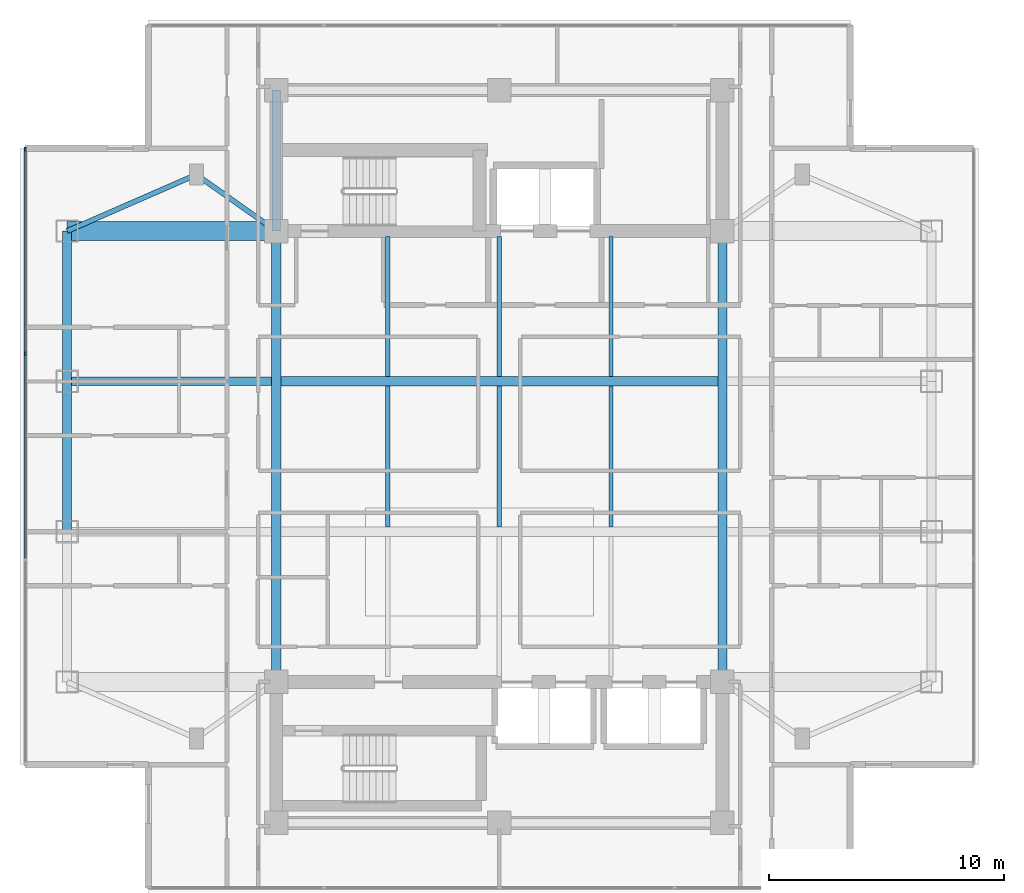
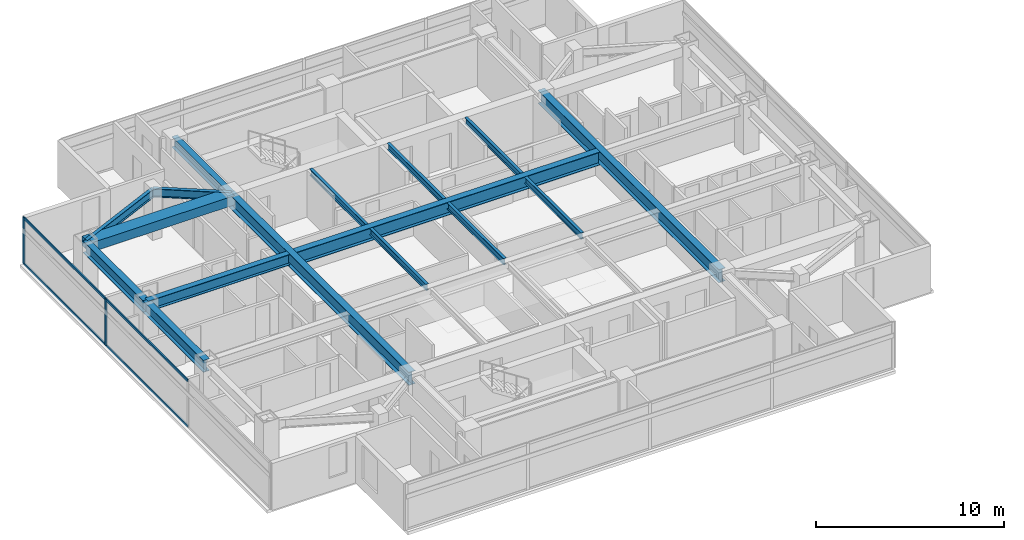
# One storey, part 3 of 24: 16 beams, 6 members, 1 element without a shape of its own.
"""IFC4 building model written with IfcOpenShell, lengths in metres."""

import ifcopenshell
import ifcopenshell.guid

model = None  # the IFC model being written
_history = None  # IfcOwnerHistory: only IFC2X3 demands one
_inside = {}  # id of a spatial element -> (the spatial element, [elements in it])
_under = {}  # id of a project, library or spatial element -> (it, [spatial elements below it])
_declared = {}  # id of a project -> (the project, [libraries it declares])
_typed = {}  # id of a type object -> (the type object, [elements of that type])
_made_of = {}  # id of a material, layer set ... -> (it, [elements and type objects made of it])


def new_model(schema):
    """Start an empty IFC model of exactly this schema.

    Asked for "IFC4X3", IfcOpenShell would pick the latest addendum, in which some entities
    have other attributes; the version numbers below select the first issue.
    IFC2X3 requires an IfcOwnerHistory on every rooted entity: one is made here for all.
    """
    global model, _history
    if schema == "IFC4X3":
        model = ifcopenshell.file(schema_version=(4, 3, 0, 0))
    else:
        model = ifcopenshell.file(schema=schema)
    _inside.clear()
    _under.clear()
    _declared.clear()
    _typed.clear()
    _made_of.clear()
    _history = None
    if model.schema == "IFC2X3":
        org = make("IfcOrganization", Name="unknown")
        user = make(
            "IfcPersonAndOrganization",
            ThePerson=make("IfcPerson", FamilyName="unknown"),
            TheOrganization=org,
        )
        app = make(
            "IfcApplication",
            ApplicationDeveloper=org,
            Version="unknown",
            ApplicationFullName="unknown",
            ApplicationIdentifier="unknown",
        )
        _history = make(
            "IfcOwnerHistory",
            OwningUser=user,
            OwningApplication=app,
            ChangeAction="ADDED",
            CreationDate=0,
        )
    return model


def make(cls, **values):
    """One entity of the class cls with the attributes given. An attribute that is None is left unset."""
    return model.create_entity(
        cls, **{name: value for name, value in values.items() if value is not None}
    )


def rooted(cls, **values):
    """An entity with a GlobalId (a new one), such as an element, a storey or a relation."""
    return make(cls, GlobalId=ifcopenshell.guid.new(), OwnerHistory=_history, **values)


def si_unit(unit_type, name, prefix=None):
    """IfcSIUnit, for example si_unit("LENGTHUNIT", "METRE", prefix="MILLI")."""
    return make("IfcSIUnit", UnitType=unit_type, Prefix=prefix, Name=name)


def assignment(units):
    """IfcUnitAssignment: the units of a project."""
    return None if units is None else make("IfcUnitAssignment", Units=units)


def point(xyz):
    """IfcCartesianPoint."""
    return None if xyz is None else make("IfcCartesianPoint", Coordinates=xyz)


def direction(xyz):
    """IfcDirection."""
    return None if xyz is None else make("IfcDirection", DirectionRatios=xyz)


def frame(location, z_axis=None, x_axis=None):
    """IfcAxis2Placement3D, a coordinate frame: its origin and axes. An axis left out is left unset."""
    return make(
        "IfcAxis2Placement3D",
        Location=point(location),
        Axis=direction(z_axis),
        RefDirection=direction(x_axis),
    )


def frame_2d(location, x_axis=None):
    """IfcAxis2Placement2D, a coordinate frame in the plane: its origin and x axis."""
    return make(
        "IfcAxis2Placement2D", Location=point(location), RefDirection=direction(x_axis)
    )


def origin():
    """The frame at (0, 0, 0) with its axes left unset."""
    return frame((0.0, 0.0, 0.0))


def origin_2d():
    """The frame at (0, 0) in the plane with its x axis left unset."""
    return frame_2d((0.0, 0.0))


def place(relative_to, where):
    """IfcLocalPlacement: puts the frame where relative to a parent placement (None: the world)."""
    return make(
        "IfcLocalPlacement", PlacementRelTo=relative_to, RelativePlacement=where
    )


def context(
    kind, dimensions, precision=None, world=None, true_north=None, identifier=None
):
    """IfcGeometricRepresentationContext, for example the 3D "Model" context."""
    return make(
        "IfcGeometricRepresentationContext",
        ContextIdentifier=identifier,
        ContextType=kind,
        CoordinateSpaceDimension=dimensions,
        Precision=precision,
        WorldCoordinateSystem=world,
        TrueNorth=true_north,
    )


def subcontext(parent, identifier, kind, view, scale=None):
    """IfcGeometricRepresentationSubContext, for example "Body" below "Model"."""
    return make(
        "IfcGeometricRepresentationSubContext",
        ContextIdentifier=identifier,
        ContextType=kind,
        ParentContext=parent,
        TargetScale=scale,
        TargetView=view,
    )


def project(units=None, contexts=None):
    """IfcProject with its units and contexts."""
    return rooted(
        "IfcProject",
        Name="project",
        RepresentationContexts=contexts,
        UnitsInContext=assignment(units),
    )


def spatial(cls, under=None, at=None, **own):
    """A site, building, storey or space (cls), placed at a placement, below another one or the project."""
    s = rooted(cls, ObjectPlacement=at, **own)
    if under is not None:
        _under.setdefault(under.id(), (under, []))[1].append(s)
    return s


def profile(cls, at=None, kind="AREA", **sizes):
    """A parametric profile (cls). Its sizes go by their IFC names, for example OverallWidth=200.0."""
    return make(cls, ProfileType=kind, Position=at, **sizes)


def rectangle(**sizes):
    """IfcRectangleProfileDef."""
    return profile("IfcRectangleProfileDef", **sizes)


def i_section(**sizes):
    """IfcIShapeProfileDef."""
    return profile("IfcIShapeProfileDef", **sizes)


def extrude(swept, where, along, depth):
    """IfcExtrudedAreaSolid: the profile swept, set in the frame where, extruded along a direction by depth."""
    return make(
        "IfcExtrudedAreaSolid",
        SweptArea=swept,
        Position=where,
        ExtrudedDirection=direction(along),
        Depth=depth,
    )


def shape(context_of_items, identifier, shape_type, items):
    """IfcShapeRepresentation: the items that make up one representation, for example the "Body"."""
    return make(
        "IfcShapeRepresentation",
        ContextOfItems=context_of_items,
        RepresentationIdentifier=identifier,
        RepresentationType=shape_type,
        Items=items,
    )


def material(Name=None, Category=None):
    """IfcMaterial."""
    return make("IfcMaterial", Name=Name, Category=Category)


def material_profile(
    of_material, cross_section, Name=None, Category=None, Priority=None
):
    """IfcMaterialProfile: a cross section and its material."""
    return make(
        "IfcMaterialProfile",
        Name=Name,
        Material=of_material,
        Profile=cross_section,
        Priority=Priority,
        Category=Category,
    )


def profile_set(profiles, Name=None, composite=None):
    """IfcMaterialProfileSet."""
    return make(
        "IfcMaterialProfileSet",
        Name=Name,
        MaterialProfiles=profiles,
        CompositeProfile=composite,
    )


def made_of(thing, what):
    """Note that an element or type object is made of a material, layer set ...; save() writes the relation."""
    if what is not None:
        _made_of.setdefault(what.id(), (what, []))[1].append(thing)
    return thing


def type_object(cls, material=None, **own):
    """A type object (cls), such as IfcWallType, which elements share."""
    return made_of(rooted(cls, **own), material)


def element(
    cls,
    number,
    at=None,
    inside=None,
    cuts=None,
    type_object=None,
    material=None,
    context=None,
    identifier="Body",
    shape_type=None,
    held_by="IfcProductDefinitionShape",
    body=None,
    shapes=None,
    **own,
):
    """One element of the class cls, such as IfcWall. Its Tag is "e" and its number.

    at: its placement. inside: the storey or other place that contains it. cuts: it is an
    opening in that element (IfcRelVoidsElement). A single representation is given by context,
    identifier, shape_type and body (its items); several are given by shapes. held_by: the class
    of the entity that holds the representations. save() writes the other relations.
    """
    e = rooted(cls, Tag="e%d" % number, ObjectPlacement=at, **own)
    if body is not None:
        shapes = [shape(context, identifier, shape_type, body)]
    if shapes is not None:
        e.Representation = make(held_by, Representations=shapes)
    if inside is not None:
        _inside.setdefault(inside.id(), (inside, []))[1].append(e)
    if cuts is not None:
        rooted(
            "IfcRelVoidsElement", RelatingBuildingElement=cuts, RelatedOpeningElement=e
        )
    if type_object is not None:
        _typed.setdefault(type_object.id(), (type_object, []))[1].append(e)
    return made_of(e, material)


def aggregate(whole, parts):
    """IfcRelAggregates: a whole, such as a stair, and the parts it consists of."""
    return rooted("IfcRelAggregates", RelatingObject=whole, RelatedObjects=parts)


def save(model, path):
    """Write the relations noted so far, then the file.

    IfcRelAggregates (storeys below a building ...), IfcRelContainedInSpatialStructure (elements
    in a storey), IfcRelDefinesByType, IfcRelAssociatesMaterial and IfcRelDeclares: one each for
    every whole, place, type object, material and project.
    """
    for whole, parts in _under.values():
        aggregate(whole, parts)
    for where, things in _inside.values():
        rooted(
            "IfcRelContainedInSpatialStructure",
            RelatedElements=things,
            RelatingStructure=where,
        )
    for kind, things in _typed.values():
        rooted("IfcRelDefinesByType", RelatedObjects=things, RelatingType=kind)
    for what, things in _made_of.values():
        rooted("IfcRelAssociatesMaterial", RelatedObjects=things, RelatingMaterial=what)
    for by, libraries in _declared.values():
        rooted("IfcRelDeclares", RelatingContext=by, RelatedDefinitions=libraries)
    model.write(path)


model = new_model("IFC4")

# Units and contexts
model_context = context("Model", 3, precision=1e-05, world=origin(), true_north=direction((0.0, 1.0)))
body_context = subcontext(model_context, "Body", "Model", "MODEL_VIEW")
ifc_project = project(units=[si_unit("LENGTHUNIT", "METRE"), si_unit("AREAUNIT", "SQUARE_METRE"), si_unit("VOLUMEUNIT", "CUBIC_METRE"), si_unit("PLANEANGLEUNIT", "RADIAN"), si_unit("MASSUNIT", "GRAM", prefix="KILO")], contexts=[model_context])

# Site, building, storey
site_placement = place(None, origin())
site = spatial("IfcSite", under=ifc_project, at=site_placement, CompositionType="ELEMENT")
building_placement = place(site_placement, origin())
building = spatial("IfcBuilding", under=site, at=building_placement, Name="Mirazonda Arch Towers", CompositionType="ELEMENT")
storey_placement = place(building_placement, frame((0.0, 0.0, 160.89990234375)))
storey = spatial("IfcBuildingStorey", under=building, at=storey_placement, Name="L45", CompositionType="ELEMENT", Elevation=160.89990234375)

# Beams
ifc_material_1 = material(Name="Steel ASTM A992 Grade 50", Category="steel")
ifc_material_profile_1 = material_profile(ifc_material_1, i_section(OverallWidth=0.381103515625, OverallDepth=0.77294921875, WebThickness=0.0166015625, FlangeThickness=0.027099609375, at=origin_2d()), Name="W30X173")
ifc_profile_set_1 = profile_set([ifc_material_profile_1], Name="Steel ASTM A992 Grade 50")
beam_type_1 = type_object("IfcBeamType", Name="BM-EXT-W30X173", PredefinedType="USERDEFINED", material=ifc_profile_set_1)
beam_1_placement = place(storey_placement, frame((2.10009765625, 24.800048828125, 2.66357421875), z_axis=(0.0, 1.0, 0.0), x_axis=(-1.0, 0.0, 0.0)))
element("IfcBeam", 1, at=beam_1_placement, inside=storey, type_object=beam_type_1, Name="L45 Floor Beam BM-T1-L45-NS-W-24", ObjectType="GIRDER", PredefinedType="USERDEFINED", context=body_context, shape_type="SweptSolid", body=[
    extrude(i_section(OverallWidth=0.381103515625, OverallDepth=0.77294921875, WebThickness=0.0166015625, FlangeThickness=0.027099609375, at=origin_2d()), origin(), (0.0, 0.0, 1.0), 6.39990234375),
])
beam_2_placement = place(storey_placement, frame((2.10009765625, 31.199951171875, 2.66357421875), z_axis=(0.0, 1.0, 0.0), x_axis=(-1.0, 0.0, 0.0)))
element("IfcBeam", 2, at=beam_2_placement, inside=storey, type_object=beam_type_1, Name="L45 Floor Beam BM-T1-L45-NS-W-31", ObjectType="GIRDER", PredefinedType="USERDEFINED", context=body_context, shape_type="SweptSolid", body=[
    extrude(i_section(OverallWidth=0.381103515625, OverallDepth=0.77294921875, WebThickness=0.0166015625, FlangeThickness=0.027099609375, at=origin_2d()), origin(), (0.0, 0.0, 1.0), 6.400146484375),
])
ifc_material_profile_2 = material_profile(ifc_material_1, i_section(OverallWidth=0.180908203125, OverallDepth=0.4169921875, WebThickness=0.010986328125, FlangeThickness=0.018310546875, at=origin_2d()), Name="W16X57")
ifc_profile_set_2 = profile_set([ifc_material_profile_2], Name="Steel ASTM A992 Grade 50")
beam_type_2 = type_object("IfcBeamType", Name="BM-INT-W16X57", PredefinedType="JOIST", material=ifc_profile_set_2)
beam_3_placement = place(storey_placement, frame((15.75, 31.39599609375, 2.841552734375), z_axis=(0.0, 1.0, 0.0), x_axis=(-1.0, 0.0, 0.0)))
element("IfcBeam", 3, at=beam_3_placement, inside=storey, type_object=beam_type_2, Name="L45 Floor Beam BM-T1-L45-J-157-31", PredefinedType="JOIST", context=body_context, shape_type="SweptSolid", body=[
    extrude(i_section(OverallWidth=0.180908203125, OverallDepth=0.4169921875, WebThickness=0.010986328125, FlangeThickness=0.018310546875, at=origin_2d()), origin(), (0.0, 0.0, 1.0), 5.964111328125),
])
beam_4_placement = place(storey_placement, frame((15.75, 24.99609375, 2.841552734375), z_axis=(0.0, 1.0, 0.0), x_axis=(-1.0, 0.0, 0.0)))
element("IfcBeam", 4, at=beam_4_placement, inside=storey, type_object=beam_type_2, Name="L45 Floor Beam BM-T1-L45-J-157-24", PredefinedType="JOIST", context=body_context, shape_type="SweptSolid", body=[
    extrude(i_section(OverallWidth=0.180908203125, OverallDepth=0.4169921875, WebThickness=0.010986328125, FlangeThickness=0.018310546875, at=origin_2d()), origin(), (0.0, 0.0, 1.0), 6.0078125),
])
beam_5_placement = place(storey_placement, frame((20.5, 31.39599609375, 2.841552734375), z_axis=(0.0, 1.0, 0.0), x_axis=(-1.0, 0.0, 0.0)))
element("IfcBeam", 5, at=beam_5_placement, inside=storey, type_object=beam_type_2, Name="L45 Floor Beam BM-T1-L45-J-205-31", PredefinedType="JOIST", context=body_context, shape_type="SweptSolid", body=[
    extrude(i_section(OverallWidth=0.180908203125, OverallDepth=0.4169921875, WebThickness=0.010986328125, FlangeThickness=0.018310546875, at=origin_2d()), origin(), (0.0, 0.0, 1.0), 5.964111328125),
])
beam_6_placement = place(storey_placement, frame((20.5, 24.99609375, 2.841552734375), z_axis=(0.0, 1.0, 0.0), x_axis=(-1.0, 0.0, 0.0)))
element("IfcBeam", 6, at=beam_6_placement, inside=storey, type_object=beam_type_2, Name="L45 Floor Beam BM-T1-L45-J-205-24", PredefinedType="JOIST", context=body_context, shape_type="SweptSolid", body=[
    extrude(i_section(OverallWidth=0.180908203125, OverallDepth=0.4169921875, WebThickness=0.010986328125, FlangeThickness=0.018310546875, at=origin_2d()), origin(), (0.0, 0.0, 1.0), 6.0078125),
])
beam_7_placement = place(storey_placement, frame((25.25, 31.39599609375, 2.841552734375), z_axis=(0.0, 1.0, 0.0), x_axis=(-1.0, 0.0, 0.0)))
element("IfcBeam", 7, at=beam_7_placement, inside=storey, type_object=beam_type_2, Name="L45 Floor Beam BM-T1-L45-J-252-31", PredefinedType="JOIST", context=body_context, shape_type="SweptSolid", body=[
    extrude(i_section(OverallWidth=0.180908203125, OverallDepth=0.4169921875, WebThickness=0.010986328125, FlangeThickness=0.018310546875, at=origin_2d()), origin(), (0.0, 0.0, 1.0), 5.964111328125),
])
beam_8_placement = place(storey_placement, frame((25.25, 24.99609375, 2.841552734375), z_axis=(0.0, 1.0, 0.0), x_axis=(-1.0, 0.0, 0.0)))
element("IfcBeam", 8, at=beam_8_placement, inside=storey, type_object=beam_type_2, Name="L45 Floor Beam BM-T1-L45-J-252-24", PredefinedType="JOIST", context=body_context, shape_type="SweptSolid", body=[
    extrude(i_section(OverallWidth=0.180908203125, OverallDepth=0.4169921875, WebThickness=0.010986328125, FlangeThickness=0.018310546875, at=origin_2d()), origin(), (0.0, 0.0, 1.0), 6.0078125),
])
ifc_material_profile_3 = material_profile(ifc_material_1, i_section(OverallWidth=0.214111328125, OverallDepth=0.549072265625, WebThickness=0.0146484375, FlangeThickness=0.023681640625, at=origin_2d()), Name="W21X93")
ifc_profile_set_3 = profile_set([ifc_material_profile_3], Name="Steel ASTM A992 Grade 50")
beam_type_3 = type_object("IfcBeamType", Name="BM-INT-W21X93", PredefinedType="BEAM", material=ifc_profile_set_3)
beam_9_placement = place(storey_placement, frame((7.60009765625, 40.0, 2.775634765625), z_axis=(0.816971114901, -0.576678591087, 0.0), x_axis=(0.576678591087, 0.816971114901, 0.0)))
element("IfcBeam", 9, at=beam_9_placement, inside=storey, type_object=beam_type_3, Name="L45 Floor Beam BM-T1-L45-PL-NW1", PredefinedType="BEAM", context=body_context, shape_type="SweptSolid", body=[
    extrude(i_section(OverallWidth=0.214111328125, OverallDepth=0.549072265625, WebThickness=0.0146484375, FlangeThickness=0.023681640625, at=origin_2d()), origin(), (0.0, 0.0, 1.0), 4.16162109375),
])
beam_10_placement = place(storey_placement, frame((7.60009765625, 40.0, 2.775634765625), z_axis=(-0.916545343703, -0.399930785183, 0.0), x_axis=(0.399930785183, -0.916545343703, 0.0)))
element("IfcBeam", 10, at=beam_10_placement, inside=storey, type_object=beam_type_3, Name="L45 Floor Beam BM-T1-L45-PL-NW2", PredefinedType="BEAM", context=body_context, shape_type="SweptSolid", body=[
    extrude(i_section(OverallWidth=0.214111328125, OverallDepth=0.549072265625, WebThickness=0.0146484375, FlangeThickness=0.023681640625, at=origin_2d()), origin(), (0.0, 0.0, 1.0), 6.000732421875),
])
ifc_material_profile_4 = material_profile(ifc_material_1, i_section(OverallWidth=0.35498046875, OverallDepth=0.696044921875, WebThickness=0.015380859375, FlangeThickness=0.02490234375, at=origin_2d()), Name="W27X146")
ifc_profile_set_4 = profile_set([ifc_material_profile_4], Name="Steel ASTM A992 Grade 50")
beam_type_4 = type_object("IfcBeamType", Name="BM-INT-W27X146", PredefinedType="BEAM", material=ifc_profile_set_4)
beam_11_placement = place(storey_placement, frame((2.10009765625, 31.199951171875, 2.7021484375), z_axis=(1.0, 0.0, 0.0), x_axis=(0.0, 1.0, 0.0)))
element("IfcBeam", 11, at=beam_11_placement, inside=storey, type_object=beam_type_4, Name="L45 Floor Beam BM-T1-L45-GW3", PredefinedType="BEAM", context=body_context, shape_type="SweptSolid", body=[
    extrude(i_section(OverallWidth=0.35498046875, OverallDepth=0.696044921875, WebThickness=0.015380859375, FlangeThickness=0.02490234375, at=origin_2d()), origin(), (0.0, 0.0, 1.0), 8.699951171875),
])
beam_12_placement = place(storey_placement, frame((11.0, 37.60009765625, 2.7021484375), z_axis=(0.0, 1.0, 0.0), x_axis=(-1.0, 0.0, 0.0)))
element("IfcBeam", 12, at=beam_12_placement, inside=storey, type_object=beam_type_4, Name="L45 Floor Beam BM-T1-L45-CNW", PredefinedType="BEAM", context=body_context, shape_type="SweptSolid", body=[
    extrude(i_section(OverallWidth=0.35498046875, OverallDepth=0.696044921875, WebThickness=0.015380859375, FlangeThickness=0.02490234375, at=origin_2d()), origin(), (0.0, 0.0, 1.0), 6.0),
])
ifc_material_profile_5 = material_profile(ifc_material_1, i_section(OverallWidth=0.39990234375, OverallDepth=0.85595703125, WebThickness=0.018310546875, FlangeThickness=0.029296875, at=origin_2d()), Name="W33X201")
ifc_profile_set_5 = profile_set([ifc_material_profile_5], Name="Steel ASTM A992 Grade 50")
beam_type_5 = type_object("IfcBeamType", Name="BM-INT-W33X201", PredefinedType="USERDEFINED", material=ifc_profile_set_5)
beam_13_placement = place(storey_placement, frame((11.199951171875, 31.199951171875, 2.6220703125), z_axis=(1.0, 0.0, 0.0), x_axis=(0.0, 1.0, 0.0)))
element("IfcBeam", 13, at=beam_13_placement, inside=storey, type_object=beam_type_5, Name="L45 Floor Beam BM-T1-L45-GC3", ObjectType="GIRDER", PredefinedType="USERDEFINED", context=body_context, shape_type="SweptSolid", body=[
    extrude(i_section(OverallWidth=0.39990234375, OverallDepth=0.85595703125, WebThickness=0.018310546875, FlangeThickness=0.029296875, at=origin_2d()), origin(), (0.0, 0.0, 1.0), 18.60009765625),
])
for number, where, z_axis, x_axis, name in (
    (14, (11.0, 18.39990234375, 2.6220703125), (0.0, 1.0, 0.0), (-1.0, 0.0, 0.0), "L45 Floor Beam BM-T1-L45-NS-CW-FULL"),
    (15, (30.0, 18.39990234375, 2.6220703125), (0.0, 1.0, 0.0), (-1.0, 0.0, 0.0), "L45 Floor Beam BM-T1-L45-NS-CE-FULL"),
):
    element("IfcBeam", number, at=place(storey_placement, frame(where, z_axis=z_axis, x_axis=x_axis)), inside=storey, type_object=beam_type_5, Name=name, ObjectType="GIRDER", PredefinedType="USERDEFINED", context=body_context, shape_type="SweptSolid", body=[
        extrude(i_section(OverallWidth=0.39990234375, OverallDepth=0.85595703125, WebThickness=0.018310546875, FlangeThickness=0.029296875, at=origin_2d()), origin(), (0.0, 0.0, 1.0), 19.2001953125),
    ])
ifc_material_2 = material(Name="Concrete C60/75", Category="concrete")
ifc_material_profile_6 = material_profile(ifc_material_2, rectangle(XDim=0.800048828125, YDim=0.60009765625, at=origin_2d()), Name="RCCB800x600")
ifc_profile_set_6 = profile_set([ifc_material_profile_6], Name="Concrete C60/75")
beam_type_6 = type_object("IfcBeamType", Name="CB-INT-RCCB800x600", PredefinedType="SPANDREL", material=ifc_profile_set_6)
beam_14_placement = place(storey_placement, frame((2.10009765625, 37.60009765625, 2.75), z_axis=(1.0, 0.0, 0.0), x_axis=(0.0, 1.0, 0.0)))
element("IfcBeam", 16, at=beam_14_placement, inside=storey, type_object=beam_type_6, Name="L45 Floor Beam CBC-T1-L45-NW", PredefinedType="SPANDREL", context=body_context, shape_type="SweptSolid", body=[
    extrude(rectangle(XDim=0.800048828125, YDim=0.60009765625, at=origin_2d()), origin(), (0.0, 0.0, 1.0), 8.89990234375),
])

# Curtain wall, members
ifc_material_3 = material(Name="Anodised Aluminium and Low-E Glass", Category="aluminium")
curtain_wall_type = type_object("IfcCurtainWallType", Name="CW-RES-UNIT", PredefinedType="NOTDEFINED", material=ifc_material_3)
curtain_wall_placement = place(storey_placement, origin())
curtain_wall = element("IfcCurtainWall", 17, at=curtain_wall_placement, inside=storey, type_object=curtain_wall_type, Name="L45 T1 W Facade CW-L45-T1-W", PredefinedType="NOTDEFINED")
ifc_material_4 = material(Name="Anodised Aluminium Alloy", Category="aluminium")
ifc_material_profile_7 = material_profile(ifc_material_4, rectangle(XDim=0.074951171875, YDim=0.175048828125, at=origin_2d()), Name="ALU-MULL-75x175")
ifc_profile_set_7 = profile_set([ifc_material_profile_7], Name="Anodised Aluminium Alloy")
member_type_1 = type_object("IfcMemberType", Name="MULL-CW-RES-UNIT", PredefinedType="MULLION", material=ifc_profile_set_7)
member_1_placement = place(storey_placement, frame((0.31005859375, 41.08349609375, 0.0), z_axis=(0.0, 0.0, 1.0), x_axis=(1.0, 0.0, 0.0)))
member_1 = element("IfcMember", 18, at=member_1_placement, type_object=member_type_1, Name="CW-104 mullion 1", PredefinedType="MULLION", context=body_context, shape_type="SweptSolid", body=[
    extrude(rectangle(XDim=0.074951171875, YDim=0.175048828125, at=origin_2d()), origin(), (0.0, 0.0, 1.0), 3.030029296875),
])
member_2_placement = place(storey_placement, frame((0.31005859375, 32.373779296875, 0.0), z_axis=(0.0, 0.0, 1.0), x_axis=(1.0, 0.0, 0.0)))
member_2 = element("IfcMember", 19, at=member_2_placement, type_object=member_type_1, Name="CW-104 mullion 2", PredefinedType="MULLION", context=body_context, shape_type="SweptSolid", body=[
    extrude(rectangle(XDim=0.074951171875, YDim=0.175048828125, at=origin_2d()), origin(), (0.0, 0.0, 1.0), 3.030029296875),
])
ifc_material_profile_8 = material_profile(ifc_material_4, rectangle(XDim=0.074951171875, YDim=0.155029296875, at=origin_2d()), Name="ALU-TRAN-75x155")
ifc_profile_set_8 = profile_set([ifc_material_profile_8], Name="Anodised Aluminium Alloy")
member_type_2 = type_object("IfcMemberType", Name="TRAN-CW-RES-UNIT", PredefinedType="USERDEFINED", material=ifc_profile_set_8)
member_3_placement = place(storey_placement, frame((0.31005859375, 41.0458984375, 0.03759765625), z_axis=(0.0, -1.0, 0.0), x_axis=(1.0, 0.0, 0.0)))
member_3 = element("IfcMember", 20, at=member_3_placement, type_object=member_type_2, Name="CW-104 transom 1.1", ObjectType="TRANSOM", PredefinedType="USERDEFINED", context=body_context, shape_type="SweptSolid", body=[
    extrude(rectangle(XDim=0.074951171875, YDim=0.155029296875, at=origin_2d()), origin(), (0.0, 0.0, 1.0), 8.634765625),
])
member_4_placement = place(storey_placement, frame((0.31005859375, 41.0458984375, 2.99267578125), z_axis=(0.0, -1.0, 0.0), x_axis=(1.0, 0.0, 0.0)))
member_4 = element("IfcMember", 21, at=member_4_placement, type_object=member_type_2, Name="CW-104 transom 1.2", ObjectType="TRANSOM", PredefinedType="USERDEFINED", context=body_context, shape_type="SweptSolid", body=[
    extrude(rectangle(XDim=0.074951171875, YDim=0.155029296875, at=origin_2d()), origin(), (0.0, 0.0, 1.0), 8.634765625),
])
member_5_placement = place(storey_placement, frame((0.31005859375, 32.336181640625, 0.03759765625), z_axis=(0.0, -1.0, 0.0), x_axis=(1.0, 0.0, 0.0)))
member_5 = element("IfcMember", 22, at=member_5_placement, type_object=member_type_2, Name="CW-104 transom 2.1", ObjectType="TRANSOM", PredefinedType="USERDEFINED", context=body_context, shape_type="SweptSolid", body=[
    extrude(rectangle(XDim=0.074951171875, YDim=0.155029296875, at=origin_2d()), origin(), (0.0, 0.0, 1.0), 8.67236328125),
])
member_6_placement = place(storey_placement, frame((0.31005859375, 32.336181640625, 2.99267578125), z_axis=(0.0, -1.0, 0.0), x_axis=(1.0, 0.0, 0.0)))
member_6 = element("IfcMember", 23, at=member_6_placement, type_object=member_type_2, Name="CW-104 transom 2.2", ObjectType="TRANSOM", PredefinedType="USERDEFINED", context=body_context, shape_type="SweptSolid", body=[
    extrude(rectangle(XDim=0.074951171875, YDim=0.155029296875, at=origin_2d()), origin(), (0.0, 0.0, 1.0), 8.67236328125),
])
aggregate(curtain_wall, [member_1, member_2, member_3, member_4, member_5, member_6])

save(model, "model.ifc")
